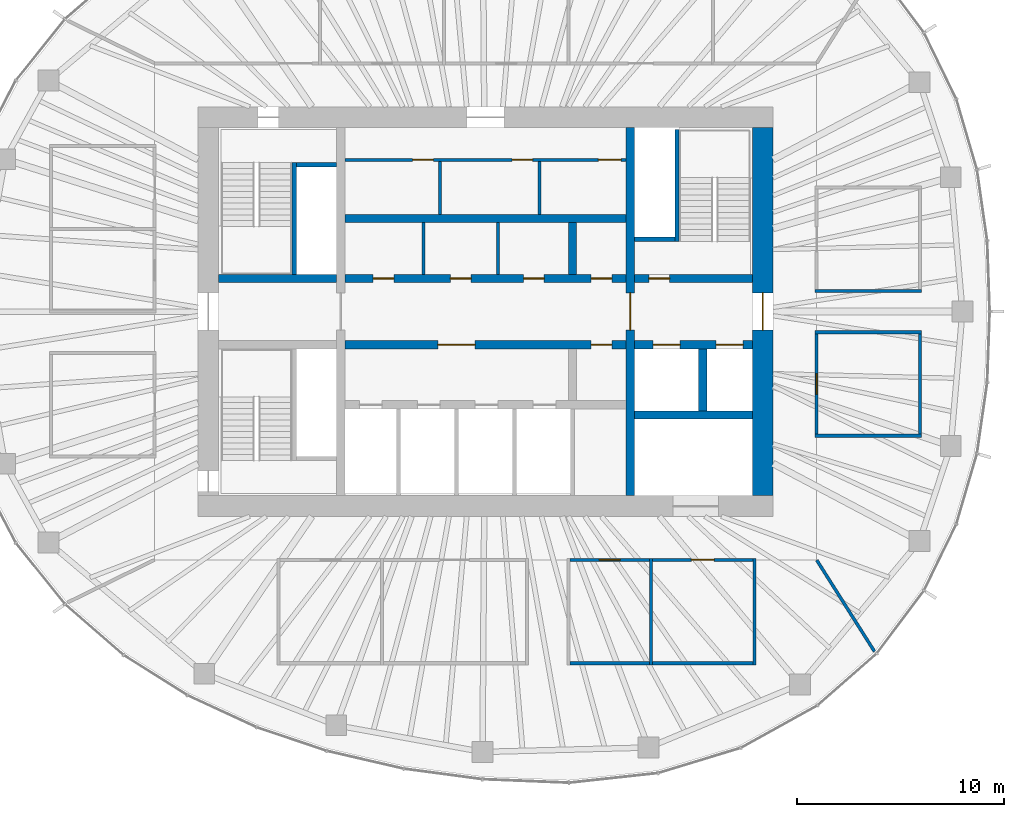
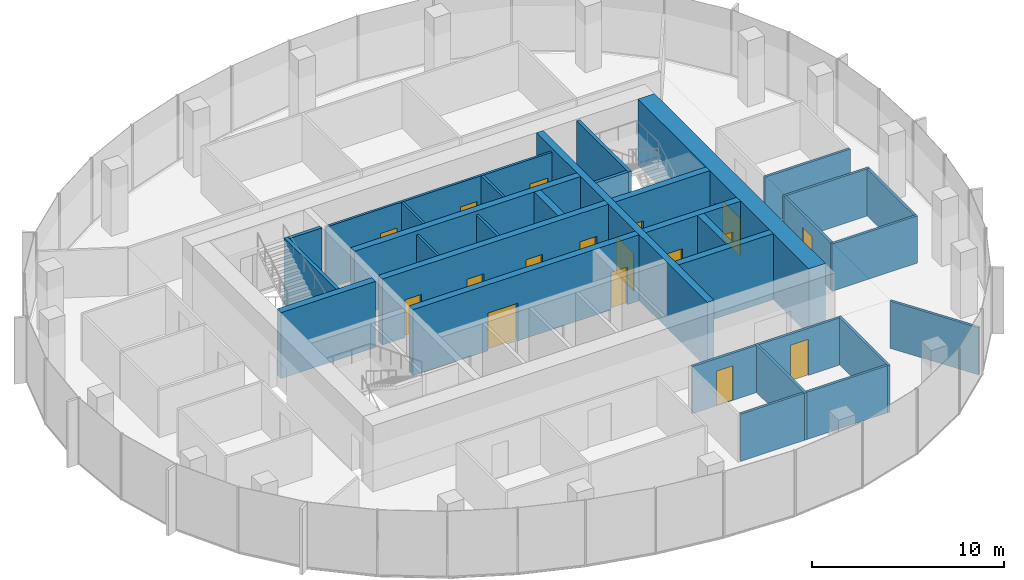
# One storey, part 9 of 11: 32 walls, 17 doors, 17 openings.
"""IFC4 building model written with IfcOpenShell, lengths in metres."""

from ifc_helpers import new_model, si_unit, direction, frame, frame_2d, origin, place, context, subcontext, project, spatial, rectangle, extrude, material, layer, layer_set, type_object, element, fill, save


model = new_model("IFC4")

# Units and contexts
model_context = context("Model", 3, precision=1e-05, world=origin(), true_north=direction((0.0, 1.0)))
body_context = subcontext(model_context, "Body", "Model", "MODEL_VIEW")
ifc_project = project(units=[si_unit("LENGTHUNIT", "METRE"), si_unit("AREAUNIT", "SQUARE_METRE"), si_unit("VOLUMEUNIT", "CUBIC_METRE"), si_unit("PLANEANGLEUNIT", "RADIAN"), si_unit("MASSUNIT", "GRAM", prefix="KILO")], contexts=[model_context])

# Site, building, storey
site_placement = place(None, origin())
site = spatial("IfcSite", under=ifc_project, at=site_placement, CompositionType="ELEMENT")
building_placement = place(site_placement, origin())
building = spatial("IfcBuilding", under=site, at=building_placement, Name="Ghaith Harvest Tower", CompositionType="ELEMENT")
storey_placement = place(building_placement, frame((0.0, 0.0, 321.60009765625)))
storey = spatial("IfcBuildingStorey", under=building, at=storey_placement, Name="L72", CompositionType="ELEMENT", Elevation=321.60009765625)

# Wall, openings, doors
ifc_material_1 = material(Name="Concrete blockwork, fair-faced", Category="masonry")
ifc_layer_1 = layer(ifc_material_1, 0.139892578125)
ifc_layer_set_1 = layer_set([ifc_layer_1], Name="CORE PARTITION 140")
wall_type_1 = type_object("IfcWallType", Name="CORE PARTITION 140", PredefinedType="PARTITIONING", material=ifc_layer_set_1)
wall_1_placement = place(storey_placement, frame((-6.800048828125, 7.330078125, 0.0), z_axis=(0.0, 0.0, 1.0), x_axis=(1.0, 0.0, 0.0)))
wall_1 = element("IfcWall", 1, at=wall_1_placement, inside=storey, type_object=wall_type_1, Name="Core partition L72", PredefinedType="PARTITIONING", context=body_context, shape_type="SweptSolid", body=[
    extrude(rectangle(XDim=13.60009765625, YDim=0.139892578125, at=frame_2d((6.800048828125, 0.0))), origin(), (0.0, 0.0, 1.0), 3.949951171875),
])
opening_1_placement = place(wall_1_placement, frame((3.280029296875, 0.0, 0.0)))
opening_1 = element("IfcOpeningElement", 2, at=opening_1_placement, cuts=wall_1, Name="Opening 72-008", PredefinedType="OPENING", context=body_context, shape_type="SweptSolid", body=[
    extrude(rectangle(XDim=1.0, YDim=2.39990234375, at=frame_2d((0.5, 1.199951171875))), frame((0.0, 0.080078125, 0.0), z_axis=(0.0, -1.0, 0.0), x_axis=(1.0, 0.0, 0.0)), (0.0, 0.0, 1.0), 0.159912109375),
])
opening_2_placement = place(wall_1_placement, frame((8.080078125, 0.0, 0.0)))
opening_2 = element("IfcOpeningElement", 3, at=opening_2_placement, cuts=wall_1, Name="Opening 72-009", PredefinedType="OPENING", context=body_context, shape_type="SweptSolid", body=[
    extrude(rectangle(XDim=1.0, YDim=2.39990234375, at=frame_2d((0.5, 1.199951171875))), frame((0.0, 0.080078125, 0.0), z_axis=(0.0, -1.0, 0.0), x_axis=(1.0, 0.0, 0.0)), (0.0, 0.0, 1.0), 0.159912109375),
])
opening_3_placement = place(wall_1_placement, frame((12.25, 0.0, 0.0)))
opening_3 = element("IfcOpeningElement", 4, at=opening_3_placement, cuts=wall_1, Name="Opening 72-010", PredefinedType="OPENING", context=body_context, shape_type="SweptSolid", body=[
    extrude(rectangle(XDim=1.10009765625, YDim=2.39990234375, at=frame_2d((0.550048828125, 1.199951171875))), frame((0.0, 0.080078125, 0.0), z_axis=(0.0, -1.0, 0.0), x_axis=(1.0, 0.0, 0.0)), (0.0, 0.0, 1.0), 0.159912109375),
])
ifc_material_2 = material(Name="Steel fire door", Category="steel")
door_type_1 = type_object("IfcDoorType", Name="D3 FD90 1000x2400", OperationType="SINGLE_SWING_LEFT", PredefinedType="DOOR", material=ifc_material_2)
door_1_placement = place(opening_1_placement, origin())
door_1 = element("IfcDoor", 5, at=door_1_placement, inside=storey, type_object=door_type_1, Name="Female WC door", OperationType="SINGLE_SWING_LEFT", OverallHeight=2.39990234375, OverallWidth=1.0, PredefinedType="DOOR", context=body_context, shape_type="SweptSolid", body=[
    extrude(rectangle(XDim=1.0, YDim=2.39990234375, at=frame_2d((0.5, 1.199951171875))), frame((0.0, 0.02490234375, 0.0), z_axis=(0.0, -1.0, 0.0), x_axis=(1.0, 0.0, 0.0)), (0.0, 0.0, 1.0), 0.050048828125),
])
fill(opening_1, door_1)
door_2_placement = place(opening_2_placement, origin())
door_2 = element("IfcDoor", 6, at=door_2_placement, inside=storey, type_object=door_type_1, Name="Male WC door", OperationType="SINGLE_SWING_RIGHT", OverallHeight=2.39990234375, OverallWidth=1.0, PredefinedType="DOOR", context=body_context, shape_type="SweptSolid", body=[
    extrude(rectangle(XDim=1.0, YDim=2.39990234375, at=frame_2d((0.5, 1.199951171875))), frame((0.0, 0.02490234375, 0.0), z_axis=(0.0, -1.0, 0.0), x_axis=(1.0, 0.0, 0.0)), (0.0, 0.0, 1.0), 0.050048828125),
])
fill(opening_2, door_2)
ifc_material_3 = material(Name="Steel fire door", Category="steel")
door_type_2 = type_object("IfcDoorType", Name="D9 FD90 1100x2400", OperationType="SINGLE_SWING_LEFT", PredefinedType="DOOR", material=ifc_material_3)
door_3_placement = place(opening_3_placement, origin())
door_3 = element("IfcDoor", 7, at=door_3_placement, inside=storey, type_object=door_type_2, Name="Accessible WC door", OperationType="SINGLE_SWING_RIGHT", OverallHeight=2.39990234375, OverallWidth=1.10009765625, PredefinedType="DOOR", context=body_context, shape_type="SweptSolid", body=[
    extrude(rectangle(XDim=1.10009765625, YDim=2.39990234375, at=frame_2d((0.550048828125, 1.199951171875))), frame((0.0, 0.02490234375, 0.0), z_axis=(0.0, -1.0, 0.0), x_axis=(1.0, 0.0, 0.0)), (0.0, 0.0, 1.0), 0.050048828125),
])
fill(opening_3, door_3)

# Walls
for number, where, z_axis, x_axis, name in (
    (8, (-2.199951171875, 4.699951171875, 0.0), (0.0, 0.0, 1.0), (0.0, 1.0, 0.0), "Core partition L72"),
    (9, (2.60009765625, 4.699951171875, 0.0), (0.0, 0.0, 1.0), (0.0, 1.0, 0.0), "Core partition L72"),
):
    element("IfcWall", number, at=place(storey_placement, frame(where, z_axis=z_axis, x_axis=x_axis)), inside=storey, type_object=wall_type_1, Name=name, PredefinedType="PARTITIONING", context=body_context, shape_type="SweptSolid", body=[
        extrude(rectangle(XDim=2.56005859375, YDim=0.139892578125, at=frame_2d((1.280029296875, 0.0))), origin(), (0.0, 0.0, 1.0), 3.949951171875),
    ])
for number, where, z_axis, x_axis, name in (
    (10, (-3.0, 1.800048828125, 0.0), (0.0, 0.0, 1.0), (0.0, 1.0, 0.0), "Core partition L72"),
    (11, (0.60009765625, 1.800048828125, 0.0), (0.0, 0.0, 1.0), (0.0, 1.0, 0.0), "Core partition L72"),
):
    element("IfcWall", number, at=place(storey_placement, frame(where, z_axis=z_axis, x_axis=x_axis)), inside=storey, type_object=wall_type_1, Name=name, PredefinedType="PARTITIONING", context=body_context, shape_type="SweptSolid", body=[
        extrude(rectangle(XDim=2.5, YDim=0.139892578125, at=frame_2d((1.25, 0.0))), origin(), (0.0, 0.0, 1.0), 3.949951171875),
    ])

# Wall, opening, door
ifc_material_4 = material(Name="Concrete C50/60", Category="concrete")
ifc_layer_2 = layer(ifc_material_4, 1.0)
ifc_layer_set_2 = layer_set([ifc_layer_2], Name="CORE WALL CW1000")
wall_type_2 = type_object("IfcWallType", Name="CORE WALL CW1000", PredefinedType="SHEAR", material=ifc_layer_set_2)
wall_2_placement = place(storey_placement, frame((13.39990234375, -8.89990234375, 0.0), z_axis=(0.0, 0.0, 1.0), x_axis=(0.0, 1.0, 0.0)))
wall_2 = element("IfcWall", 12, at=wall_2_placement, inside=storey, type_object=wall_type_2, Name="Core wall E L72", PredefinedType="SHEAR", context=body_context, shape_type="SweptSolid", body=[
    extrude(rectangle(XDim=17.7998046875, YDim=1.0, at=frame_2d((8.89990234375, 0.0))), origin(), (0.0, 0.0, 1.0), 4.199951171875),
])
opening_4_placement = place(wall_2_placement, frame((8.0, 0.0, 0.0)))
opening_4 = element("IfcOpeningElement", 13, at=opening_4_placement, cuts=wall_2, Name="Opening 72-002", PredefinedType="OPENING", context=body_context, shape_type="SweptSolid", body=[
    extrude(rectangle(XDim=1.800048828125, YDim=2.39990234375, at=frame_2d((0.89990234375, 1.199951171875))), frame((0.0, 0.510009765625, 0.0), z_axis=(0.0, -1.0, 0.0), x_axis=(1.0, 0.0, 0.0)), (0.0, 0.0, 1.0), 1.02001953125),
])
ifc_material_5 = material(Name="Steel fire door", Category="steel")
door_type_3 = type_object("IfcDoorType", Name="D4 FD90 PAIR 1800x2400", OperationType="DOUBLE_DOOR_SINGLE_SWING", PredefinedType="DOOR", material=ifc_material_5)
door_4_placement = place(opening_4_placement, origin())
door_4 = element("IfcDoor", 14, at=door_4_placement, inside=storey, type_object=door_type_3, Name="Fire-fighting lobby doors", OperationType="DOUBLE_DOOR_SINGLE_SWING", OverallHeight=2.39990234375, OverallWidth=1.800048828125, PredefinedType="DOOR", context=body_context, shape_type="SweptSolid", body=[
    extrude(rectangle(XDim=1.800048828125, YDim=2.39990234375, at=frame_2d((0.89990234375, 1.199951171875))), frame((0.0, 0.02490234375, 0.0), z_axis=(0.0, -1.0, 0.0), x_axis=(1.0, 0.0, 0.0)), (0.0, 0.0, 1.0), 0.050048828125),
])
fill(opening_4, door_4)

# Walls
ifc_material_6 = material(Name="Gypsum board on steel studs", Category="steel")
ifc_layer_3 = layer(ifc_material_6, 0.14990234375)
ifc_layer_set_3 = layer_set([ifc_layer_3], Name="PARTITION 150")
wall_type_3 = type_object("IfcWallType", Name="PARTITION 150", PredefinedType="PARTITIONING", material=ifc_layer_set_3)
for number, where, z_axis, x_axis, name in (
    (15, (8.0, -11.925048828125, 0.0), (0.0, 0.0, 1.0), (0.0, -1.0, 0.0), "Partition L72 row S3 cross wall 2"),
    (16, (13.0, -11.925048828125, 0.0), (0.0, 0.0, 1.0), (0.0, -1.0, 0.0), "Partition L72 row S3 cross wall 3"),
):
    element("IfcWall", number, at=place(storey_placement, frame(where, z_axis=z_axis, x_axis=x_axis)), inside=storey, type_object=wall_type_3, Name=name, PredefinedType="PARTITIONING", context=body_context, shape_type="SweptSolid", body=[
        extrude(rectangle(XDim=5.14990234375, YDim=0.14990234375, at=frame_2d((2.574951171875, 0.0))), origin(), (0.0, 0.0, 1.0), 3.0),
    ])

# Wall, opening, door
wall_3_placement = place(storey_placement, frame((4.074951171875, -12.0, 0.0), z_axis=(0.0, 0.0, 1.0), x_axis=(1.0, 0.0, 0.0)))
wall_3 = element("IfcWall", 17, at=wall_3_placement, inside=storey, type_object=wall_type_3, Name="Partition L72-06", PredefinedType="PARTITIONING", context=body_context, shape_type="SweptSolid", body=[
    extrude(rectangle(XDim=3.85009765625, YDim=0.14990234375, at=frame_2d((1.925048828125, 0.0))), origin(), (0.0, 0.0, 1.0), 3.0),
])
opening_5_placement = place(wall_3_placement, frame((1.425048828125, 0.0, 0.0)))
opening_5 = element("IfcOpeningElement", 18, at=opening_5_placement, cuts=wall_3, Name="Opening 72-030", PredefinedType="OPENING", context=body_context, shape_type="SweptSolid", body=[
    extrude(rectangle(XDim=1.0, YDim=2.199951171875, at=frame_2d((0.5, 1.10009765625))), frame((0.0, 0.0849609375, 0.0), z_axis=(0.0, -1.0, 0.0), x_axis=(1.0, 0.0, 0.0)), (0.0, 0.0, 1.0), 0.169921875),
])
ifc_material_7 = material(Name="Timber door", Category="wood")
door_type_4 = type_object("IfcDoorType", Name="D1 SINGLE 1000x2200", OperationType="SINGLE_SWING_LEFT", PredefinedType="DOOR", material=ifc_material_7)
door_5_placement = place(opening_5_placement, origin())
door_5 = element("IfcDoor", 19, at=door_5_placement, inside=storey, type_object=door_type_4, Name="Store door", OperationType="SINGLE_SWING_LEFT", OverallHeight=2.199951171875, OverallWidth=1.0, PredefinedType="DOOR", context=body_context, shape_type="SweptSolid", body=[
    extrude(rectangle(XDim=1.0, YDim=2.199951171875, at=frame_2d((0.5, 1.10009765625))), frame((0.0, 0.02490234375, 0.0), z_axis=(0.0, -1.0, 0.0), x_axis=(1.0, 0.0, 0.0)), (0.0, 0.0, 1.0), 0.050048828125),
])
fill(opening_5, door_5)

# Wall
wall_4_placement = place(storey_placement, frame((4.074951171875, -17.0, 0.0), z_axis=(0.0, 0.0, 1.0), x_axis=(1.0, 0.0, 0.0)))
element("IfcWall", 20, at=wall_4_placement, inside=storey, type_object=wall_type_3, Name="Partition L72-06", PredefinedType="PARTITIONING", context=body_context, shape_type="SweptSolid", body=[
    extrude(rectangle(XDim=3.85009765625, YDim=0.14990234375, at=frame_2d((1.925048828125, 0.0))), origin(), (0.0, 0.0, 1.0), 3.0),
])

# Wall, opening, door
wall_5_placement = place(storey_placement, frame((8.074951171875, -12.0, 0.0), z_axis=(0.0, 0.0, 1.0), x_axis=(1.0, 0.0, 0.0)))
wall_5 = element("IfcWall", 21, at=wall_5_placement, inside=storey, type_object=wall_type_3, Name="Partition L72-07", PredefinedType="PARTITIONING", context=body_context, shape_type="SweptSolid", body=[
    extrude(rectangle(XDim=4.85009765625, YDim=0.14990234375, at=frame_2d((2.425048828125, 0.0))), origin(), (0.0, 0.0, 1.0), 3.0),
])
opening_6_placement = place(wall_5_placement, frame((1.875, 0.0, 0.0)))
opening_6 = element("IfcOpeningElement", 22, at=opening_6_placement, cuts=wall_5, Name="Opening 72-031", PredefinedType="OPENING", context=body_context, shape_type="SweptSolid", body=[
    extrude(rectangle(XDim=1.10009765625, YDim=2.300048828125, at=frame_2d((0.550048828125, 1.14990234375))), frame((0.0, 0.0849609375, 0.0), z_axis=(0.0, -1.0, 0.0), x_axis=(1.0, 0.0, 0.0)), (0.0, 0.0, 1.0), 0.169921875),
])
ifc_material_8 = material(Name="Timber-framed glazed door", Category="wood")
door_type_5 = type_object("IfcDoorType", Name="D12 GLAZED OFFICE 1100x2300", OperationType="SINGLE_SWING_LEFT", PredefinedType="DOOR", material=ifc_material_8)
door_6_placement = place(opening_6_placement, origin())
door_6 = element("IfcDoor", 23, at=door_6_placement, inside=storey, type_object=door_type_5, Name="Crop office door", OperationType="SINGLE_SWING_LEFT", OverallHeight=2.300048828125, OverallWidth=1.10009765625, PredefinedType="DOOR", context=body_context, shape_type="SweptSolid", body=[
    extrude(rectangle(XDim=1.10009765625, YDim=2.300048828125, at=frame_2d((0.550048828125, 1.14990234375))), frame((0.0, 0.02490234375, 0.0), z_axis=(0.0, -1.0, 0.0), x_axis=(1.0, 0.0, 0.0)), (0.0, 0.0, 1.0), 0.050048828125),
])
fill(opening_6, door_6)

# Walls
wall_6_placement = place(storey_placement, frame((8.074951171875, -17.0, 0.0), z_axis=(0.0, 0.0, 1.0), x_axis=(1.0, 0.0, 0.0)))
element("IfcWall", 24, at=wall_6_placement, inside=storey, type_object=wall_type_3, Name="Partition L72-07", PredefinedType="PARTITIONING", context=body_context, shape_type="SweptSolid", body=[
    extrude(rectangle(XDim=4.85009765625, YDim=0.14990234375, at=frame_2d((2.425048828125, 0.0))), origin(), (0.0, 0.0, 1.0), 3.0),
])
for number, where, z_axis, x_axis, name in (
    (25, (15.925048828125, -6.0, 0.0), (0.0, 0.0, 1.0), (1.0, 0.0, 0.0), "Partition L72 row E5 cross wall 1"),
    (26, (15.925048828125, -1.0, 0.0), (0.0, 0.0, 1.0), (1.0, 0.0, 0.0), "Partition L72 row E5 cross wall 2"),
):
    element("IfcWall", number, at=place(storey_placement, frame(where, z_axis=z_axis, x_axis=x_axis)), inside=storey, type_object=wall_type_3, Name=name, PredefinedType="PARTITIONING", context=body_context, shape_type="SweptSolid", body=[
        extrude(rectangle(XDim=5.14990234375, YDim=0.14990234375, at=frame_2d((2.574951171875, 0.0))), origin(), (0.0, 0.0, 1.0), 3.0),
    ])

# Wall, opening, door
wall_7_placement = place(storey_placement, frame((16.0, -5.925048828125, 0.0), z_axis=(0.0, 0.0, 1.0), x_axis=(0.0, 1.0, 0.0)))
wall_7 = element("IfcWall", 27, at=wall_7_placement, inside=storey, type_object=wall_type_3, Name="Partition L72-09", PredefinedType="PARTITIONING", context=body_context, shape_type="SweptSolid", body=[
    extrude(rectangle(XDim=4.85009765625, YDim=0.14990234375, at=frame_2d((2.425048828125, 0.0))), origin(), (0.0, 0.0, 1.0), 3.0),
])
opening_7_placement = place(wall_7_placement, frame((1.925048828125, 0.0, 0.0)))
opening_7 = element("IfcOpeningElement", 28, at=opening_7_placement, cuts=wall_7, Name="Opening 72-033", PredefinedType="OPENING", context=body_context, shape_type="SweptSolid", body=[
    extrude(rectangle(XDim=1.0, YDim=2.199951171875, at=frame_2d((0.5, 1.10009765625))), frame((0.0, 0.0849609375, 0.0), z_axis=(0.0, -1.0, 0.0), x_axis=(1.0, 0.0, 0.0)), (0.0, 0.0, 1.0), 0.169921875),
])
door_7_placement = place(opening_7_placement, origin())
door_7 = element("IfcDoor", 29, at=door_7_placement, inside=storey, type_object=door_type_4, Name="Staff room door", OperationType="SINGLE_SWING_LEFT", OverallHeight=2.199951171875, OverallWidth=1.0, PredefinedType="DOOR", context=body_context, shape_type="SweptSolid", body=[
    extrude(rectangle(XDim=1.0, YDim=2.199951171875, at=frame_2d((0.5, 1.10009765625))), frame((0.0, 0.02490234375, 0.0), z_axis=(0.0, -1.0, 0.0), x_axis=(1.0, 0.0, 0.0)), (0.0, 0.0, 1.0), 0.050048828125),
])
fill(opening_7, door_7)

# Walls
wall_8_placement = place(storey_placement, frame((21.0, -5.925048828125, 0.0), z_axis=(0.0, 0.0, 1.0), x_axis=(0.0, 1.0, 0.0)))
element("IfcWall", 30, at=wall_8_placement, inside=storey, type_object=wall_type_3, Name="Partition L72-09", PredefinedType="PARTITIONING", context=body_context, shape_type="SweptSolid", body=[
    extrude(rectangle(XDim=4.85009765625, YDim=0.14990234375, at=frame_2d((2.425048828125, 0.0))), origin(), (0.0, 0.0, 1.0), 3.0),
])
wall_9_placement = place(storey_placement, frame((15.925048828125, 1.0, 0.0), z_axis=(0.0, 0.0, 1.0), x_axis=(1.0, 0.0, 0.0)))
element("IfcWall", 31, at=wall_9_placement, inside=storey, type_object=wall_type_3, Name="Partition L72 row E6 cross wall 1", PredefinedType="PARTITIONING", context=body_context, shape_type="SweptSolid", body=[
    extrude(rectangle(XDim=5.14990234375, YDim=0.14990234375, at=frame_2d((2.574951171875, 0.0))), origin(), (0.0, 0.0, 1.0), 3.0),
])
wall_10_placement = place(storey_placement, frame((16.0107421875, -12.016845703125, 0.0), z_axis=(0.0, 0.0, 1.0), x_axis=(0.53415837449, -0.845384427916, 0.0)))
element("IfcWall", 32, at=wall_10_placement, inside=storey, type_object=wall_type_3, Name="Partition L72 zone division", PredefinedType="PARTITIONING", context=body_context, shape_type="SweptSolid", body=[
    extrude(rectangle(XDim=5.220458984375, YDim=0.14990234375, at=frame_2d((2.6103515625, 0.0))), origin(), (0.0, 0.0, 1.0), 3.0),
])

# Wall, opening, door
ifc_material_9 = material(Name="Concrete C70/85", Category="concrete")
ifc_layer_4 = layer(ifc_material_9, 0.39990234375)
ifc_layer_set_4 = layer_set([ifc_layer_4], Name="SHAFT WALL 400")
wall_type_4 = type_object("IfcWallType", Name="SHAFT WALL 400", PredefinedType="SHEAR", material=ifc_layer_set_4)
wall_11_placement = place(storey_placement, frame((7.0, -8.89990234375, 0.0), z_axis=(0.0, 0.0, 1.0), x_axis=(0.0, 1.0, 0.0)))
wall_11 = element("IfcWall", 33, at=wall_11_placement, inside=storey, type_object=wall_type_4, Name="Shaft wall W7E L72", PredefinedType="SHEAR", context=body_context, shape_type="SweptSolid", body=[
    extrude(rectangle(XDim=17.7998046875, YDim=0.39990234375, at=frame_2d((8.89990234375, 0.0))), origin(), (0.0, 0.0, 1.0), 4.199951171875),
])
opening_8_placement = place(wall_11_placement, frame((8.0, 0.0, 0.0)))
opening_8 = element("IfcOpeningElement", 34, at=opening_8_placement, cuts=wall_11, Name="Opening 72-004", PredefinedType="OPENING", context=body_context, shape_type="SweptSolid", body=[
    extrude(rectangle(XDim=1.800048828125, YDim=2.39990234375, at=frame_2d((0.89990234375, 1.199951171875))), frame((0.0, 0.2099609375, 0.0), z_axis=(0.0, -1.0, 0.0), x_axis=(1.0, 0.0, 0.0)), (0.0, 0.0, 1.0), 0.419921875),
])
door_8_placement = place(opening_8_placement, origin())
door_8 = element("IfcDoor", 35, at=door_8_placement, inside=storey, type_object=door_type_3, Name="Lift lobby doors, east", OperationType="DOUBLE_DOOR_SINGLE_SWING", OverallHeight=2.39990234375, OverallWidth=1.800048828125, PredefinedType="DOOR", context=body_context, shape_type="SweptSolid", body=[
    extrude(rectangle(XDim=1.800048828125, YDim=2.39990234375, at=frame_2d((0.89990234375, 1.199951171875))), frame((0.0, 0.02490234375, 0.0), z_axis=(0.0, -1.0, 0.0), x_axis=(1.0, 0.0, 0.0)), (0.0, 0.0, 1.0), 0.050048828125),
])
fill(opening_8, door_8)

# Wall, openings, doors
wall_12_placement = place(storey_placement, frame((-6.800048828125, 1.60009765625, 0.0), z_axis=(0.0, 0.0, 1.0), x_axis=(1.0, 0.0, 0.0)))
wall_12 = element("IfcWall", 36, at=wall_12_placement, inside=storey, type_object=wall_type_4, Name="Shaft wall LN L72", PredefinedType="SHEAR", context=body_context, shape_type="SweptSolid", body=[
    extrude(rectangle(XDim=13.60009765625, YDim=0.39990234375, at=frame_2d((6.800048828125, 0.0))), origin(), (0.0, 0.0, 1.0), 4.199951171875),
])
opening_9_placement = place(wall_12_placement, frame((1.364990234375, 0.0, 0.0)))
opening_9 = element("IfcOpeningElement", 37, at=opening_9_placement, cuts=wall_12, Name="Opening 72-011", PredefinedType="OPENING", context=body_context, shape_type="SweptSolid", body=[
    extrude(rectangle(XDim=1.0, YDim=2.39990234375, at=frame_2d((0.5, 1.199951171875))), frame((0.0, 0.2099609375, 0.0), z_axis=(0.0, -1.0, 0.0), x_axis=(1.0, 0.0, 0.0)), (0.0, 0.0, 1.0), 0.419921875),
])
opening_10_placement = place(wall_12_placement, frame((5.10009765625, 0.0, 0.0)))
opening_10 = element("IfcOpeningElement", 38, at=opening_10_placement, cuts=wall_12, Name="Opening 72-012", PredefinedType="OPENING", context=body_context, shape_type="SweptSolid", body=[
    extrude(rectangle(XDim=1.0, YDim=2.39990234375, at=frame_2d((0.5, 1.199951171875))), frame((0.0, 0.2099609375, 0.0), z_axis=(0.0, -1.0, 0.0), x_axis=(1.0, 0.0, 0.0)), (0.0, 0.0, 1.0), 0.419921875),
])
opening_11_placement = place(wall_12_placement, frame((8.635009765625, 0.0, 0.0)))
opening_11 = element("IfcOpeningElement", 39, at=opening_11_placement, cuts=wall_12, Name="Opening 72-013", PredefinedType="OPENING", context=body_context, shape_type="SweptSolid", body=[
    extrude(rectangle(XDim=1.0, YDim=2.39990234375, at=frame_2d((0.5, 1.199951171875))), frame((0.0, 0.2099609375, 0.0), z_axis=(0.0, -1.0, 0.0), x_axis=(1.0, 0.0, 0.0)), (0.0, 0.0, 1.0), 0.419921875),
])
opening_12_placement = place(wall_12_placement, frame((11.89990234375, 0.0, 0.0)))
opening_12 = element("IfcOpeningElement", 40, at=opening_12_placement, cuts=wall_12, Name="Opening 72-014", PredefinedType="OPENING", context=body_context, shape_type="SweptSolid", body=[
    extrude(rectangle(XDim=1.0, YDim=2.39990234375, at=frame_2d((0.5, 1.199951171875))), frame((0.0, 0.2099609375, 0.0), z_axis=(0.0, -1.0, 0.0), x_axis=(1.0, 0.0, 0.0)), (0.0, 0.0, 1.0), 0.419921875),
])
door_9_placement = place(opening_9_placement, origin())
door_9 = element("IfcDoor", 41, at=door_9_placement, inside=storey, type_object=door_type_1, Name="Electrical room door", OperationType="SINGLE_SWING_LEFT", OverallHeight=2.39990234375, OverallWidth=1.0, PredefinedType="DOOR", context=body_context, shape_type="SweptSolid", body=[
    extrude(rectangle(XDim=1.0, YDim=2.39990234375, at=frame_2d((0.5, 1.199951171875))), frame((0.0, 0.02490234375, 0.0), z_axis=(0.0, -1.0, 0.0), x_axis=(1.0, 0.0, 0.0)), (0.0, 0.0, 1.0), 0.050048828125),
])
fill(opening_9, door_9)
door_10_placement = place(opening_10_placement, origin())
door_10 = element("IfcDoor", 42, at=door_10_placement, inside=storey, type_object=door_type_1, Name="Staff WC door", OperationType="SINGLE_SWING_LEFT", OverallHeight=2.39990234375, OverallWidth=1.0, PredefinedType="DOOR", context=body_context, shape_type="SweptSolid", body=[
    extrude(rectangle(XDim=1.0, YDim=2.39990234375, at=frame_2d((0.5, 1.199951171875))), frame((0.0, 0.02490234375, 0.0), z_axis=(0.0, -1.0, 0.0), x_axis=(1.0, 0.0, 0.0)), (0.0, 0.0, 1.0), 0.050048828125),
])
fill(opening_10, door_10)
door_11_placement = place(opening_11_placement, origin())
door_11 = element("IfcDoor", 43, at=door_11_placement, inside=storey, type_object=door_type_1, Name="Communications equipment room door", OperationType="SINGLE_SWING_RIGHT", OverallHeight=2.39990234375, OverallWidth=1.0, PredefinedType="DOOR", context=body_context, shape_type="SweptSolid", body=[
    extrude(rectangle(XDim=1.0, YDim=2.39990234375, at=frame_2d((0.5, 1.199951171875))), frame((0.0, 0.02490234375, 0.0), z_axis=(0.0, -1.0, 0.0), x_axis=(1.0, 0.0, 0.0)), (0.0, 0.0, 1.0), 0.050048828125),
])
fill(opening_11, door_11)
door_12_placement = place(opening_12_placement, origin())
door_12 = element("IfcDoor", 44, at=door_12_placement, inside=storey, type_object=door_type_1, Name="Staff WC door", OperationType="SINGLE_SWING_RIGHT", OverallHeight=2.39990234375, OverallWidth=1.0, PredefinedType="DOOR", context=body_context, shape_type="SweptSolid", body=[
    extrude(rectangle(XDim=1.0, YDim=2.39990234375, at=frame_2d((0.5, 1.199951171875))), frame((0.0, 0.02490234375, 0.0), z_axis=(0.0, -1.0, 0.0), x_axis=(1.0, 0.0, 0.0)), (0.0, 0.0, 1.0), 0.050048828125),
])
fill(opening_12, door_12)

wall_13_placement = place(storey_placement, frame((-6.800048828125, -1.60009765625, 0.0), z_axis=(0.0, 0.0, 1.0), x_axis=(1.0, 0.0, 0.0)))
wall_13 = element("IfcWall", 45, at=wall_13_placement, inside=storey, type_object=wall_type_4, Name="Shaft wall LS L72", PredefinedType="SHEAR", context=body_context, shape_type="SweptSolid", body=[
    extrude(rectangle(XDim=13.60009765625, YDim=0.39990234375, at=frame_2d((6.800048828125, 0.0))), origin(), (0.0, 0.0, 1.0), 4.199951171875),
])
opening_13_placement = place(wall_13_placement, frame((11.89990234375, 0.0, 0.0)))
opening_13 = element("IfcOpeningElement", 46, at=opening_13_placement, cuts=wall_13, Name="Opening 72-015", PredefinedType="OPENING", context=body_context, shape_type="SweptSolid", body=[
    extrude(rectangle(XDim=1.0, YDim=2.39990234375, at=frame_2d((0.5, 1.199951171875))), frame((0.0, 0.2099609375, 0.0), z_axis=(0.0, -1.0, 0.0), x_axis=(1.0, 0.0, 0.0)), (0.0, 0.0, 1.0), 0.419921875),
])
opening_14_placement = place(wall_13_placement, frame((4.5, 0.0, 0.0)))
opening_14 = element("IfcOpeningElement", 47, at=opening_14_placement, cuts=wall_13, Name="Opening 72-016", PredefinedType="OPENING", context=body_context, shape_type="SweptSolid", body=[
    extrude(rectangle(XDim=1.800048828125, YDim=2.39990234375, at=frame_2d((0.89990234375, 1.199951171875))), frame((0.0, 0.2099609375, 0.0), z_axis=(0.0, -1.0, 0.0), x_axis=(1.0, 0.0, 0.0)), (0.0, 0.0, 1.0), 0.419921875),
])
door_13_placement = place(opening_13_placement, origin())
door_13 = element("IfcDoor", 48, at=door_13_placement, inside=storey, type_object=door_type_1, Name="Staff WC door", OperationType="SINGLE_SWING_RIGHT", OverallHeight=2.39990234375, OverallWidth=1.0, PredefinedType="DOOR", context=body_context, shape_type="SweptSolid", body=[
    extrude(rectangle(XDim=1.0, YDim=2.39990234375, at=frame_2d((0.5, 1.199951171875))), frame((0.0, 0.02490234375, 0.0), z_axis=(0.0, -1.0, 0.0), x_axis=(1.0, 0.0, 0.0)), (0.0, 0.0, 1.0), 0.050048828125),
])
fill(opening_13, door_13)
door_14_placement = place(opening_14_placement, origin())
door_14 = element("IfcDoor", 49, at=door_14_placement, inside=storey, type_object=door_type_3, Name="Lift lobby doors, upper-zone bank", OperationType="DOUBLE_DOOR_SINGLE_SWING", OverallHeight=2.39990234375, OverallWidth=1.800048828125, PredefinedType="DOOR", context=body_context, shape_type="SweptSolid", body=[
    extrude(rectangle(XDim=1.800048828125, YDim=2.39990234375, at=frame_2d((0.89990234375, 1.199951171875))), frame((0.0, 0.02490234375, 0.0), z_axis=(0.0, -1.0, 0.0), x_axis=(1.0, 0.0, 0.0)), (0.0, 0.0, 1.0), 0.050048828125),
])
fill(opening_14, door_14)

# Walls
wall_14_placement = place(storey_placement, frame((-6.800048828125, 4.5, 0.0), z_axis=(0.0, 0.0, 1.0), x_axis=(1.0, 0.0, 0.0)))
element("IfcWall", 50, at=wall_14_placement, inside=storey, type_object=wall_type_4, Name="Shaft wall BN L72", PredefinedType="SHEAR", context=body_context, shape_type="SweptSolid", body=[
    extrude(rectangle(XDim=13.60009765625, YDim=0.39990234375, at=frame_2d((6.800048828125, 0.0))), origin(), (0.0, 0.0, 1.0), 4.199951171875),
])
wall_15_placement = place(storey_placement, frame((-12.89990234375, 1.60009765625, 0.0), z_axis=(0.0, 0.0, 1.0), x_axis=(1.0, 0.0, 0.0)))
element("IfcWall", 51, at=wall_15_placement, inside=storey, type_object=wall_type_4, Name="Shaft wall WN L72", PredefinedType="SHEAR", context=body_context, shape_type="SweptSolid", body=[
    extrude(rectangle(XDim=5.699951171875, YDim=0.39990234375, at=frame_2d((2.85009765625, 0.0))), origin(), (0.0, 0.0, 1.0), 4.199951171875),
])

# Wall, opening, door
wall_16_placement = place(storey_placement, frame((7.199951171875, 1.60009765625, 0.0), z_axis=(0.0, 0.0, 1.0), x_axis=(1.0, 0.0, 0.0)))
wall_16 = element("IfcWall", 52, at=wall_16_placement, inside=storey, type_object=wall_type_4, Name="Shaft wall EN L72", PredefinedType="SHEAR", context=body_context, shape_type="SweptSolid", body=[
    extrude(rectangle(XDim=5.699951171875, YDim=0.39990234375, at=frame_2d((2.85009765625, 0.0))), origin(), (0.0, 0.0, 1.0), 4.199951171875),
])
opening_15_placement = place(wall_16_placement, frame((0.699951171875, 0.0, 0.0)))
opening_15 = element("IfcOpeningElement", 53, at=opening_15_placement, cuts=wall_16, Name="Opening 72-007", PredefinedType="OPENING", context=body_context, shape_type="SweptSolid", body=[
    extrude(rectangle(XDim=1.0, YDim=2.39990234375, at=frame_2d((0.5, 1.199951171875))), frame((0.0, 0.2099609375, 0.0), z_axis=(0.0, -1.0, 0.0), x_axis=(1.0, 0.0, 0.0)), (0.0, 0.0, 1.0), 0.419921875),
])
door_15_placement = place(opening_15_placement, origin())
door_15 = element("IfcDoor", 54, at=door_15_placement, inside=storey, type_object=door_type_1, Name="Stair ST2 door", OperationType="SINGLE_SWING_LEFT", OverallHeight=2.39990234375, OverallWidth=1.0, PredefinedType="DOOR", context=body_context, shape_type="SweptSolid", body=[
    extrude(rectangle(XDim=1.0, YDim=2.39990234375, at=frame_2d((0.5, 1.199951171875))), frame((0.0, 0.02490234375, 0.0), z_axis=(0.0, -1.0, 0.0), x_axis=(1.0, 0.0, 0.0)), (0.0, 0.0, 1.0), 0.050048828125),
])
fill(opening_15, door_15)

# Wall, openings, doors
wall_17_placement = place(storey_placement, frame((7.199951171875, -1.60009765625, 0.0), z_axis=(0.0, 0.0, 1.0), x_axis=(1.0, 0.0, 0.0)))
wall_17 = element("IfcWall", 55, at=wall_17_placement, inside=storey, type_object=wall_type_4, Name="Shaft wall ES L72", PredefinedType="SHEAR", context=body_context, shape_type="SweptSolid", body=[
    extrude(rectangle(XDim=5.699951171875, YDim=0.39990234375, at=frame_2d((2.85009765625, 0.0))), origin(), (0.0, 0.0, 1.0), 4.199951171875),
])
opening_16_placement = place(wall_17_placement, frame((0.89990234375, 0.0, 0.0)))
opening_16 = element("IfcOpeningElement", 56, at=opening_16_placement, cuts=wall_17, Name="Opening 72-022", PredefinedType="OPENING", context=body_context, shape_type="SweptSolid", body=[
    extrude(rectangle(XDim=1.300048828125, YDim=2.39990234375, at=frame_2d((0.64990234375, 1.199951171875))), frame((0.0, 0.2099609375, 0.0), z_axis=(0.0, -1.0, 0.0), x_axis=(1.0, 0.0, 0.0)), (0.0, 0.0, 1.0), 0.419921875),
])
opening_17_placement = place(wall_17_placement, frame((3.949951171875, 0.0, 0.0)))
opening_17 = element("IfcOpeningElement", 57, at=opening_17_placement, cuts=wall_17, Name="Opening 72-023", PredefinedType="OPENING", context=body_context, shape_type="SweptSolid", body=[
    extrude(rectangle(XDim=1.300048828125, YDim=2.39990234375, at=frame_2d((0.64990234375, 1.199951171875))), frame((0.0, 0.2099609375, 0.0), z_axis=(0.0, -1.0, 0.0), x_axis=(1.0, 0.0, 0.0)), (0.0, 0.0, 1.0), 0.419921875),
])
ifc_material_10 = material(Name="Steel fire door", Category="steel")
door_type_6 = type_object("IfcDoorType", Name="LD2 LANDING 1300x2400", OperationType="DOUBLE_DOOR_SLIDING", PredefinedType="DOOR", material=ifc_material_10)
door_16_placement = place(opening_16_placement, origin())
door_16 = element("IfcDoor", 58, at=door_16_placement, inside=storey, type_object=door_type_6, Name="Landing door, fire service lift FL1", OperationType="DOUBLE_DOOR_SLIDING", OverallHeight=2.39990234375, OverallWidth=1.300048828125, PredefinedType="DOOR", context=body_context, shape_type="SweptSolid", body=[
    extrude(rectangle(XDim=1.300048828125, YDim=2.39990234375, at=frame_2d((0.64990234375, 1.199951171875))), frame((0.0, 0.02490234375, 0.0), z_axis=(0.0, -1.0, 0.0), x_axis=(1.0, 0.0, 0.0)), (0.0, 0.0, 1.0), 0.050048828125),
])
fill(opening_16, door_16)
door_17_placement = place(opening_17_placement, origin())
door_17 = element("IfcDoor", 59, at=door_17_placement, inside=storey, type_object=door_type_6, Name="Landing door, fire service lift FL2", OperationType="DOUBLE_DOOR_SLIDING", OverallHeight=2.39990234375, OverallWidth=1.300048828125, PredefinedType="DOOR", context=body_context, shape_type="SweptSolid", body=[
    extrude(rectangle(XDim=1.300048828125, YDim=2.39990234375, at=frame_2d((0.64990234375, 1.199951171875))), frame((0.0, 0.02490234375, 0.0), z_axis=(0.0, -1.0, 0.0), x_axis=(1.0, 0.0, 0.0)), (0.0, 0.0, 1.0), 0.050048828125),
])
fill(opening_17, door_17)

# Walls
wall_18_placement = place(storey_placement, frame((10.5, -4.800048828125, 0.0), z_axis=(0.0, 0.0, 1.0), x_axis=(0.0, 1.0, 0.0)))
element("IfcWall", 60, at=wall_18_placement, inside=storey, type_object=wall_type_4, Name="Shaft wall FLD L72", PredefinedType="SHEAR", context=body_context, shape_type="SweptSolid", body=[
    extrude(rectangle(XDim=3.0, YDim=0.39990234375, at=frame_2d((1.5, 0.0))), origin(), (0.0, 0.0, 1.0), 4.199951171875),
])
wall_19_placement = place(storey_placement, frame((7.199951171875, -5.0, 0.0), z_axis=(0.0, 0.0, 1.0), x_axis=(1.0, 0.0, 0.0)))
element("IfcWall", 61, at=wall_19_placement, inside=storey, type_object=wall_type_4, Name="Shaft wall FLB L72", PredefinedType="SHEAR", context=body_context, shape_type="SweptSolid", body=[
    extrude(rectangle(XDim=5.699951171875, YDim=0.39990234375, at=frame_2d((2.85009765625, 0.0))), origin(), (0.0, 0.0, 1.0), 4.199951171875),
])
wall_20_placement = place(storey_placement, frame((4.199951171875, 1.800048828125, 0.0), z_axis=(0.0, 0.0, 1.0), x_axis=(0.0, 1.0, 0.0)))
element("IfcWall", 62, at=wall_20_placement, inside=storey, type_object=wall_type_4, Name="Shaft wall DN4 L72", PredefinedType="SHEAR", context=body_context, shape_type="SweptSolid", body=[
    extrude(rectangle(XDim=2.5, YDim=0.39990234375, at=frame_2d((1.25, 0.0))), origin(), (0.0, 0.0, 1.0), 4.199951171875),
])
ifc_material_11 = material(Name="Concrete C40/50", Category="concrete")
ifc_layer_5 = layer(ifc_material_11, 0.199951171875)
ifc_layer_set_5 = layer_set([ifc_layer_5], Name="STAIR SPINE WALL RC200")
wall_type_5 = type_object("IfcWallType", Name="STAIR SPINE WALL RC200", PredefinedType="SOLIDWALL", material=ifc_layer_set_5)
wall_21_placement = place(storey_placement, frame((-9.25, 7.199951171875, 0.0), z_axis=(0.0, 0.0, 1.0), x_axis=(0.0, -1.0, 0.0)))
element("IfcWall", 63, at=wall_21_placement, inside=storey, type_object=wall_type_5, Name="Stair ST1 spine wall L72", PredefinedType="SOLIDWALL", context=body_context, shape_type="SweptSolid", body=[
    extrude(rectangle(XDim=5.39990234375, YDim=0.199951171875, at=frame_2d((2.699951171875, 0.0))), origin(), (0.0, 0.0, 1.0), 4.199951171875),
])
wall_22_placement = place(storey_placement, frame((-9.14990234375, 7.10009765625, 0.0), z_axis=(0.0, 0.0, 1.0), x_axis=(1.0, 0.0, 0.0)))
element("IfcWall", 64, at=wall_22_placement, inside=storey, type_object=wall_type_5, Name="Stair ST1 spine wall return L72", PredefinedType="SOLIDWALL", context=body_context, shape_type="SweptSolid", body=[
    extrude(rectangle(XDim=1.949951171875, YDim=0.199951171875, at=frame_2d((0.97509765625, 0.0))), origin(), (0.0, 0.0, 1.0), 4.199951171875),
])
wall_23_placement = place(storey_placement, frame((9.25, 3.39990234375, 0.0), z_axis=(0.0, 0.0, 1.0), x_axis=(0.0, 1.0, 0.0)))
element("IfcWall", 65, at=wall_23_placement, inside=storey, type_object=wall_type_5, Name="Stair ST2 spine wall L72", PredefinedType="SOLIDWALL", context=body_context, shape_type="SweptSolid", body=[
    extrude(rectangle(XDim=5.400146484375, YDim=0.199951171875, at=frame_2d((2.7001953125, 0.0))), origin(), (0.0, 0.0, 1.0), 4.199951171875),
])
wall_24_placement = place(storey_placement, frame((9.14990234375, 3.5, 0.0), z_axis=(0.0, 0.0, 1.0), x_axis=(-1.0, 0.0, 0.0)))
element("IfcWall", 66, at=wall_24_placement, inside=storey, type_object=wall_type_5, Name="Stair ST2 spine wall return L72", PredefinedType="SOLIDWALL", context=body_context, shape_type="SweptSolid", body=[
    extrude(rectangle(XDim=1.949951171875, YDim=0.199951171875, at=frame_2d((0.97509765625, 0.0))), origin(), (0.0, 0.0, 1.0), 4.199951171875),
])

save(model, "model.ifc")
